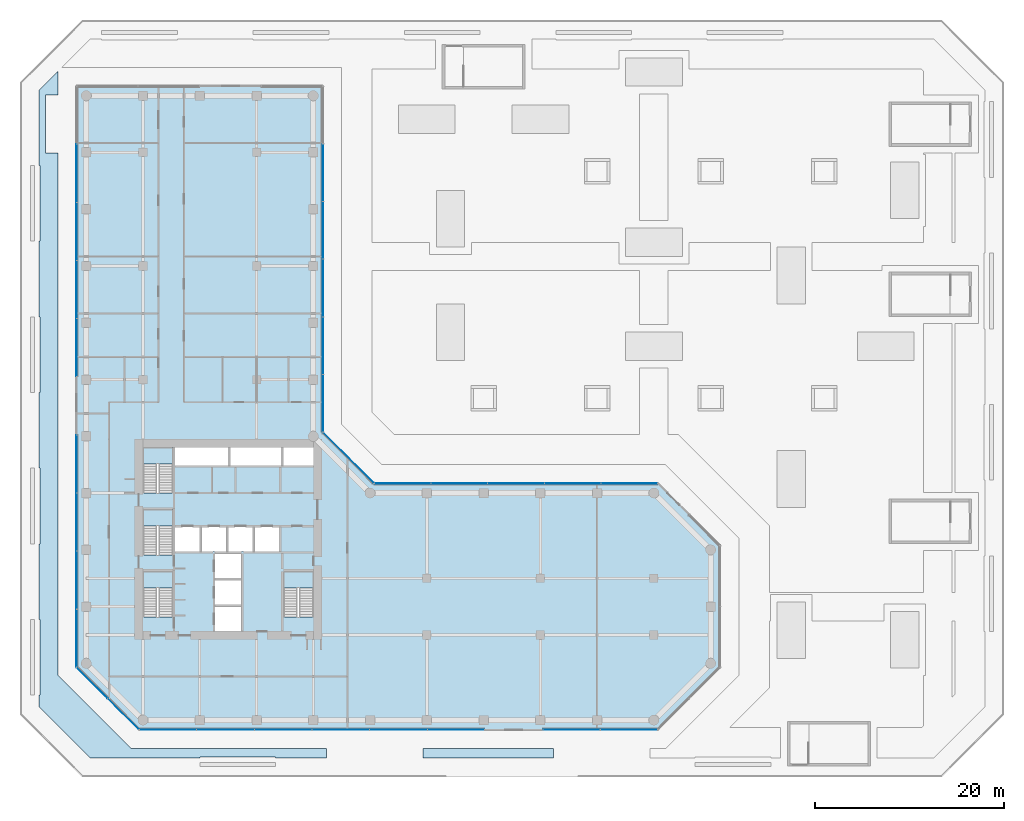
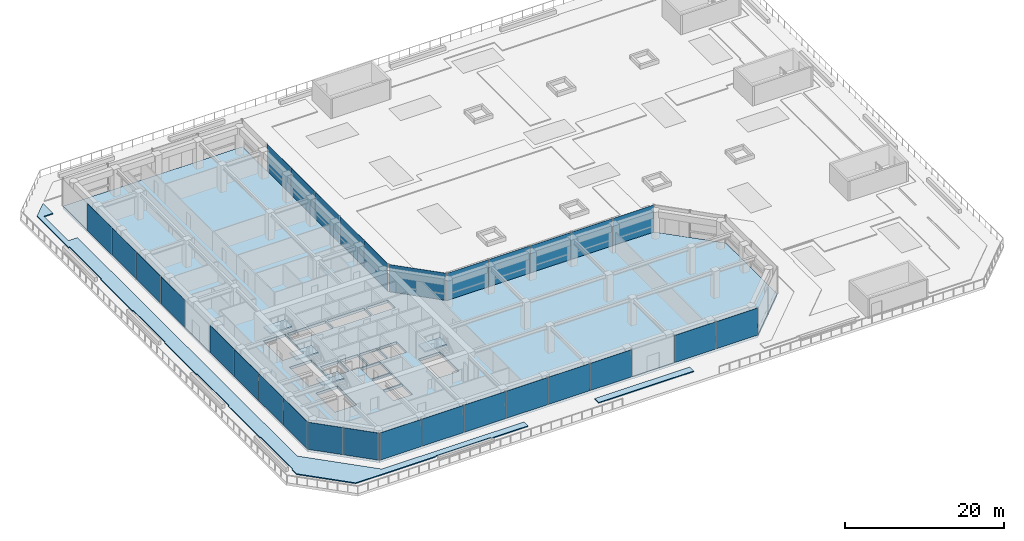
# One storey, part 22 of 31: 29 plates, 7 slabs, 12 elements without a shape of their own.
"""IFC4 building model written with IfcOpenShell, lengths in metres."""

from ifc_helpers import new_model, si_unit, direction, frame, origin, origin_2d, place, context, subcontext, project, spatial, polyline, rectangle, outline, extrude, material, layer, layer_set, type_object, element, aggregate, save


model = new_model("IFC4")

# Units and contexts
model_context = context("Model", 3, precision=1e-05, world=origin(), true_north=direction((0.0, 1.0)))
body_context = subcontext(model_context, "Body", "Model", "MODEL_VIEW")
ifc_project = project(units=[si_unit("LENGTHUNIT", "METRE"), si_unit("AREAUNIT", "SQUARE_METRE"), si_unit("VOLUMEUNIT", "CUBIC_METRE"), si_unit("PLANEANGLEUNIT", "RADIAN"), si_unit("MASSUNIT", "GRAM", prefix="KILO")], contexts=[model_context])

# Site, building, storey
site_placement = place(None, origin())
site = spatial("IfcSite", under=ifc_project, at=site_placement, CompositionType="ELEMENT")
building_placement = place(site_placement, origin())
building = spatial("IfcBuilding", under=site, at=building_placement, Name="Welwitschia Terrace Campus", CompositionType="ELEMENT")
storey_placement = place(building_placement, frame((0.0, 0.0, 11.0)))
storey = spatial("IfcBuildingStorey", under=building, at=storey_placement, Name="L02", CompositionType="ELEMENT", Elevation=11.0)

# Curtain wall, plates
ifc_material_1 = material(Name="Bronze anodised aluminium", Category="aluminium")
ifc_layer_1 = layer(ifc_material_1, 0.1201171875)
ifc_layer_set_1 = layer_set([ifc_layer_1], Name="Bronze anodised aluminium")
curtain_wall_type = type_object("IfcCurtainWallType", Name="Curtain wall CW2 tower 6000", PredefinedType="NOTDEFINED", material=ifc_layer_set_1)
curtain_wall_1_placement = place(storey_placement, origin())
curtain_wall_1 = element("IfcCurtainWall", 1, at=curtain_wall_1_placement, inside=storey, type_object=curtain_wall_type, Name="CW L02.0.0", PredefinedType="NOTDEFINED")
ifc_material_2 = material(Name="Tinted bronze-grey glass", Category="glass")
ifc_layer_2 = layer(ifc_material_2, 0.028076171875)
ifc_layer_set_2 = layer_set([ifc_layer_2], Name="Tinted bronze-grey glass")
plate_type = type_object("IfcPlateType", Name="Glass panel 28 tinted", PredefinedType="CURTAIN_PANEL", material=ifc_layer_set_2)
plate_1_placement = place(storey_placement, frame((0.639892578125, -0.08251953125, 0.0), z_axis=(0.0, 0.0, 1.0), x_axis=(0.707106781187, -0.707106781187, 0.0)))
plate_1 = element("IfcPlate", 2, at=plate_1_placement, type_object=plate_type, Name="Panel L02.0.0.0", PredefinedType="CURTAIN_PANEL", context=body_context, shape_type="SweptSolid", body=[
    extrude(rectangle(XDim=4.5751953125, YDim=0.028076171875, at=origin_2d()), origin(), (0.0, 0.0, 1.0), 4.14990234375),
])
plate_2_placement = place(storey_placement, frame((3.91748046875, -3.360107421875, 0.0), z_axis=(0.0, 0.0, 1.0), x_axis=(0.707106781187, -0.707106781187, 0.0)))
plate_2 = element("IfcPlate", 3, at=plate_2_placement, type_object=plate_type, Name="Panel L02.0.0.1", PredefinedType="CURTAIN_PANEL", context=body_context, shape_type="SweptSolid", body=[
    extrude(rectangle(XDim=4.5751953125, YDim=0.028076171875, at=origin_2d()), origin(), (0.0, 0.0, 1.0), 4.14990234375),
])
aggregate(curtain_wall_1, [plate_1, plate_2])

curtain_wall_2_placement = place(storey_placement, origin())
curtain_wall_2 = element("IfcCurtainWall", 4, at=curtain_wall_2_placement, inside=storey, type_object=curtain_wall_type, Name="CW L02.1.0", PredefinedType="NOTDEFINED")
plate_3_placement = place(storey_placement, frame((8.639404296875, -5.02001953125, 0.0), z_axis=(0.0, 0.0, 1.0), x_axis=(1.0, 0.0, 0.0)))
plate_3 = element("IfcPlate", 5, at=plate_3_placement, type_object=plate_type, Name="Panel L02.1.0.0", PredefinedType="CURTAIN_PANEL", context=body_context, shape_type="SweptSolid", body=[
    extrude(rectangle(XDim=6.00390625, YDim=0.028076171875, at=origin_2d()), origin(), (0.0, 0.0, 1.0), 4.14990234375),
])
plate_4_placement = place(storey_placement, frame((14.71826171875, -5.02001953125, 0.0), z_axis=(0.0, 0.0, 1.0), x_axis=(1.0, 0.0, 0.0)))
plate_4 = element("IfcPlate", 6, at=plate_4_placement, type_object=plate_type, Name="Panel L02.1.0.1", PredefinedType="CURTAIN_PANEL", context=body_context, shape_type="SweptSolid", body=[
    extrude(rectangle(XDim=6.033935546875, YDim=0.028076171875, at=origin_2d()), origin(), (0.0, 0.0, 1.0), 4.14990234375),
])
plate_5_placement = place(storey_placement, frame((20.812255859375, -5.02001953125, 0.0), z_axis=(0.0, 0.0, 1.0), x_axis=(1.0, 0.0, 0.0)))
plate_5 = element("IfcPlate", 7, at=plate_5_placement, type_object=plate_type, Name="Panel L02.1.0.2", PredefinedType="CURTAIN_PANEL", context=body_context, shape_type="SweptSolid", body=[
    extrude(rectangle(XDim=6.033935546875, YDim=0.028076171875, at=origin_2d()), origin(), (0.0, 0.0, 1.0), 4.14990234375),
])
plate_6_placement = place(storey_placement, frame((26.906005859375, -5.02001953125, 0.0), z_axis=(0.0, 0.0, 1.0), x_axis=(1.0, 0.0, 0.0)))
plate_6 = element("IfcPlate", 8, at=plate_6_placement, type_object=plate_type, Name="Panel L02.1.0.3", PredefinedType="CURTAIN_PANEL", context=body_context, shape_type="SweptSolid", body=[
    extrude(rectangle(XDim=6.033935546875, YDim=0.028076171875, at=origin_2d()), origin(), (0.0, 0.0, 1.0), 4.14990234375),
])
plate_7_placement = place(storey_placement, frame((33.0, -5.02001953125, 0.0), z_axis=(0.0, 0.0, 1.0), x_axis=(1.0, 0.0, 0.0)))
plate_7 = element("IfcPlate", 9, at=plate_7_placement, type_object=plate_type, Name="Panel L02.1.0.4", PredefinedType="CURTAIN_PANEL", context=body_context, shape_type="SweptSolid", body=[
    extrude(rectangle(XDim=6.033935546875, YDim=0.028076171875, at=origin_2d()), origin(), (0.0, 0.0, 1.0), 4.14990234375),
])
plate_8_placement = place(storey_placement, frame((39.078857421875, -5.02001953125, 0.0), z_axis=(0.0, 0.0, 1.0), x_axis=(1.0, 0.0, 0.0)))
plate_8 = element("IfcPlate", 10, at=plate_8_placement, type_object=plate_type, Name="Panel L02.1.0.5", PredefinedType="CURTAIN_PANEL", context=body_context, shape_type="SweptSolid", body=[
    extrude(rectangle(XDim=6.00390625, YDim=0.028076171875, at=origin_2d()), origin(), (0.0, 0.0, 1.0), 4.14990234375),
])
aggregate(curtain_wall_2, [plate_3, plate_4, plate_5, plate_6, plate_7, plate_8])

curtain_wall_3_placement = place(storey_placement, origin())
curtain_wall_3 = element("IfcCurtainWall", 11, at=curtain_wall_3_placement, inside=storey, type_object=curtain_wall_type, Name="CW L02.1.7", PredefinedType="NOTDEFINED")
plate_9_placement = place(storey_placement, frame((51.296630859375, -5.02001953125, 0.0), z_axis=(0.0, 0.0, 1.0), x_axis=(1.0, 0.0, 0.0)))
plate_9 = element("IfcPlate", 12, at=plate_9_placement, type_object=plate_type, Name="Panel L02.1.7.0", PredefinedType="CURTAIN_PANEL", context=body_context, shape_type="SweptSolid", body=[
    extrude(rectangle(XDim=6.00390625, YDim=0.028076171875, at=origin_2d()), origin(), (0.0, 0.0, 1.0), 4.14990234375),
])
plate_10_placement = place(storey_placement, frame((57.360595703125, -5.02001953125, 0.0), z_axis=(0.0, 0.0, 1.0), x_axis=(1.0, 0.0, 0.0)))
plate_10 = element("IfcPlate", 13, at=plate_10_placement, type_object=plate_type, Name="Panel L02.1.7.1", PredefinedType="CURTAIN_PANEL", context=body_context, shape_type="SweptSolid", body=[
    extrude(rectangle(XDim=6.00390625, YDim=0.028076171875, at=origin_2d()), origin(), (0.0, 0.0, 1.0), 4.14990234375),
])
aggregate(curtain_wall_3, [plate_9, plate_10])

curtain_wall_4_placement = place(storey_placement, origin())
curtain_wall_4 = element("IfcCurtainWall", 14, at=curtain_wall_4_placement, inside=storey, type_object=curtain_wall_type, Name="CW L02.5.0", PredefinedType="NOTDEFINED")
plate_11_placement = place(storey_placement, frame((57.407470703125, 21.02001953125, 0.0), z_axis=(0.0, 0.0, 1.0), x_axis=(-1.0, 0.0, 0.0)))
plate_11 = element("IfcPlate", 15, at=plate_11_placement, type_object=plate_type, Name="Panel L02.5.0.0", PredefinedType="CURTAIN_PANEL", context=body_context, shape_type="SweptSolid", body=[
    extrude(rectangle(XDim=5.909912109375, YDim=0.028076171875, at=origin_2d()), origin(), (0.0, 0.0, 1.0), 4.14990234375),
])
plate_12_placement = place(storey_placement, frame((51.422607421875, 21.02001953125, 0.0), z_axis=(0.0, 0.0, 1.0), x_axis=(-1.0, 0.0, 0.0)))
plate_12 = element("IfcPlate", 16, at=plate_12_placement, type_object=plate_type, Name="Panel L02.5.0.1", PredefinedType="CURTAIN_PANEL", context=body_context, shape_type="SweptSolid", body=[
    extrude(rectangle(XDim=5.93994140625, YDim=0.028076171875, at=origin_2d()), origin(), (0.0, 0.0, 1.0), 4.14990234375),
])
plate_13_placement = place(storey_placement, frame((45.422607421875, 21.02001953125, 0.0), z_axis=(0.0, 0.0, 1.0), x_axis=(-1.0, 0.0, 0.0)))
plate_13 = element("IfcPlate", 17, at=plate_13_placement, type_object=plate_type, Name="Panel L02.5.0.2", PredefinedType="CURTAIN_PANEL", context=body_context, shape_type="SweptSolid", body=[
    extrude(rectangle(XDim=5.93994140625, YDim=0.028076171875, at=origin_2d()), origin(), (0.0, 0.0, 1.0), 4.14990234375),
])
plate_14_placement = place(storey_placement, frame((39.422607421875, 21.02001953125, 0.0), z_axis=(0.0, 0.0, 1.0), x_axis=(-1.0, 0.0, 0.0)))
plate_14 = element("IfcPlate", 18, at=plate_14_placement, type_object=plate_type, Name="Panel L02.5.0.3", PredefinedType="CURTAIN_PANEL", context=body_context, shape_type="SweptSolid", body=[
    extrude(rectangle(XDim=5.93994140625, YDim=0.028076171875, at=origin_2d()), origin(), (0.0, 0.0, 1.0), 4.14990234375),
])
plate_15_placement = place(storey_placement, frame((33.4375, 21.02001953125, 0.0), z_axis=(0.0, 0.0, 1.0), x_axis=(-1.0, 0.0, 0.0)))
plate_15 = element("IfcPlate", 19, at=plate_15_placement, type_object=plate_type, Name="Panel L02.5.0.4", PredefinedType="CURTAIN_PANEL", context=body_context, shape_type="SweptSolid", body=[
    extrude(rectangle(XDim=5.909912109375, YDim=0.028076171875, at=origin_2d()), origin(), (0.0, 0.0, 1.0), 4.14990234375),
])
aggregate(curtain_wall_4, [plate_11, plate_12, plate_13, plate_14, plate_15])

# Curtain wall, plate
curtain_wall_5_placement = place(storey_placement, origin())
curtain_wall_5 = element("IfcCurtainWall", 20, at=curtain_wall_5_placement, inside=storey, type_object=curtain_wall_type, Name="CW L02.6.0", PredefinedType="NOTDEFINED")
plate_16_placement = place(storey_placement, frame((27.72119140625, 23.72119140625, 0.0), z_axis=(0.0, 0.0, 1.0), x_axis=(-0.707106781187, 0.707106781187, 0.0)))
plate_16 = element("IfcPlate", 21, at=plate_16_placement, type_object=plate_type, Name="Panel L02.6.0.0", PredefinedType="CURTAIN_PANEL", context=body_context, shape_type="SweptSolid", body=[
    extrude(rectangle(XDim=7.520263671875, YDim=0.028076171875, at=origin_2d()), origin(), (0.0, 0.0, 1.0), 4.14990234375),
])
aggregate(curtain_wall_5, [plate_16])

# Curtain wall, plates
curtain_wall_6_placement = place(storey_placement, origin())
curtain_wall_6 = element("IfcCurtainWall", 22, at=curtain_wall_6_placement, inside=storey, type_object=curtain_wall_type, Name="CW L02.7.0", PredefinedType="NOTDEFINED")
plate_17_placement = place(storey_placement, frame((25.02001953125, 29.4873046875, 0.0), z_axis=(0.0, 0.0, 1.0), x_axis=(0.0, 1.0, 0.0)))
plate_17 = element("IfcPlate", 23, at=plate_17_placement, type_object=plate_type, Name="Panel L02.7.0.0", PredefinedType="CURTAIN_PANEL", context=body_context, shape_type="SweptSolid", body=[
    extrude(rectangle(XDim=6.009521484375, YDim=0.028076171875, at=origin_2d()), origin(), (0.0, 0.0, 1.0), 4.14990234375),
])
plate_18_placement = place(storey_placement, frame((25.02001953125, 35.57177734375, 0.0), z_axis=(0.0, 0.0, 1.0), x_axis=(0.0, 1.0, 0.0)))
plate_18 = element("IfcPlate", 24, at=plate_18_placement, type_object=plate_type, Name="Panel L02.7.0.1", PredefinedType="CURTAIN_PANEL", context=body_context, shape_type="SweptSolid", body=[
    extrude(rectangle(XDim=6.03955078125, YDim=0.028076171875, at=origin_2d()), origin(), (0.0, 0.0, 1.0), 4.14990234375),
])
plate_19_placement = place(storey_placement, frame((25.02001953125, 41.67138671875, 0.0), z_axis=(0.0, 0.0, 1.0), x_axis=(0.0, 1.0, 0.0)))
plate_19 = element("IfcPlate", 25, at=plate_19_placement, type_object=plate_type, Name="Panel L02.7.0.2", PredefinedType="CURTAIN_PANEL", context=body_context, shape_type="SweptSolid", body=[
    extrude(rectangle(XDim=6.03955078125, YDim=0.028076171875, at=origin_2d()), origin(), (0.0, 0.0, 1.0), 4.14990234375),
])
plate_20_placement = place(storey_placement, frame((25.02001953125, 47.77099609375, 0.0), z_axis=(0.0, 0.0, 1.0), x_axis=(0.0, 1.0, 0.0)))
plate_20 = element("IfcPlate", 26, at=plate_20_placement, type_object=plate_type, Name="Panel L02.7.0.3", PredefinedType="CURTAIN_PANEL", context=body_context, shape_type="SweptSolid", body=[
    extrude(rectangle(XDim=6.03955078125, YDim=0.028076171875, at=origin_2d()), origin(), (0.0, 0.0, 1.0), 4.14990234375),
])
plate_21_placement = place(storey_placement, frame((25.02001953125, 53.87060546875, 0.0), z_axis=(0.0, 0.0, 1.0), x_axis=(0.0, 1.0, 0.0)))
plate_21 = element("IfcPlate", 27, at=plate_21_placement, type_object=plate_type, Name="Panel L02.7.0.4", PredefinedType="CURTAIN_PANEL", context=body_context, shape_type="SweptSolid", body=[
    extrude(rectangle(XDim=6.03955078125, YDim=0.028076171875, at=origin_2d()), origin(), (0.0, 0.0, 1.0), 4.14990234375),
])
aggregate(curtain_wall_6, [plate_17, plate_18, plate_19, plate_20, plate_21])

curtain_wall_7_placement = place(storey_placement, origin())
curtain_wall_7 = element("IfcCurtainWall", 28, at=curtain_wall_7_placement, inside=storey, type_object=curtain_wall_type, Name="CW L02.9.0", PredefinedType="NOTDEFINED")
plate_22_placement = place(storey_placement, frame((-1.02001953125, 53.8037109375, 0.0), z_axis=(0.0, 0.0, 1.0), x_axis=(0.0, -1.0, 0.0)))
plate_22 = element("IfcPlate", 29, at=plate_22_placement, type_object=plate_type, Name="Panel L02.9.0.1", PredefinedType="CURTAIN_PANEL", context=body_context, shape_type="SweptSolid", body=[
    extrude(rectangle(XDim=6.084228515625, YDim=0.028076171875, at=origin_2d()), origin(), (0.0, 0.0, 1.0), 4.14990234375),
])
plate_23_placement = place(storey_placement, frame((-1.02001953125, 47.659423828125, 0.0), z_axis=(0.0, 0.0, 1.0), x_axis=(0.0, -1.0, 0.0)))
plate_23 = element("IfcPlate", 30, at=plate_23_placement, type_object=plate_type, Name="Panel L02.9.0.2", PredefinedType="CURTAIN_PANEL", context=body_context, shape_type="SweptSolid", body=[
    extrude(rectangle(XDim=6.084228515625, YDim=0.028076171875, at=origin_2d()), origin(), (0.0, 0.0, 1.0), 4.14990234375),
])
plate_24_placement = place(storey_placement, frame((-1.02001953125, 41.51513671875, 0.0), z_axis=(0.0, 0.0, 1.0), x_axis=(0.0, -1.0, 0.0)))
plate_24 = element("IfcPlate", 31, at=plate_24_placement, type_object=plate_type, Name="Panel L02.9.0.3", PredefinedType="CURTAIN_PANEL", context=body_context, shape_type="SweptSolid", body=[
    extrude(rectangle(XDim=6.084228515625, YDim=0.028076171875, at=origin_2d()), origin(), (0.0, 0.0, 1.0), 4.14990234375),
])
plate_25_placement = place(storey_placement, frame((-1.02001953125, 35.385986328125, 0.0), z_axis=(0.0, 0.0, 1.0), x_axis=(0.0, -1.0, 0.0)))
plate_25 = element("IfcPlate", 32, at=plate_25_placement, type_object=plate_type, Name="Panel L02.9.0.4", PredefinedType="CURTAIN_PANEL", context=body_context, shape_type="SweptSolid", body=[
    extrude(rectangle(XDim=6.05419921875, YDim=0.028076171875, at=origin_2d()), origin(), (0.0, 0.0, 1.0), 4.14990234375),
])
aggregate(curtain_wall_7, [plate_22, plate_23, plate_24, plate_25])

curtain_wall_8_placement = place(storey_placement, origin())
curtain_wall_8 = element("IfcCurtainWall", 33, at=curtain_wall_8_placement, inside=storey, type_object=curtain_wall_type, Name="CW L02.9.6", PredefinedType="NOTDEFINED")
plate_26_placement = place(storey_placement, frame((-1.02001953125, 23.0673828125, 0.0), z_axis=(0.0, 0.0, 1.0), x_axis=(0.0, -1.0, 0.0)))
plate_26 = element("IfcPlate", 34, at=plate_26_placement, type_object=plate_type, Name="Panel L02.9.6.0", PredefinedType="CURTAIN_PANEL", context=body_context, shape_type="SweptSolid", body=[
    extrude(rectangle(XDim=6.05419921875, YDim=0.028076171875, at=origin_2d()), origin(), (0.0, 0.0, 1.0), 4.14990234375),
])
plate_27_placement = place(storey_placement, frame((-1.02001953125, 16.938232421875, 0.0), z_axis=(0.0, 0.0, 1.0), x_axis=(0.0, -1.0, 0.0)))
plate_27 = element("IfcPlate", 35, at=plate_27_placement, type_object=plate_type, Name="Panel L02.9.6.1", PredefinedType="CURTAIN_PANEL", context=body_context, shape_type="SweptSolid", body=[
    extrude(rectangle(XDim=6.084228515625, YDim=0.028076171875, at=origin_2d()), origin(), (0.0, 0.0, 1.0), 4.14990234375),
])
plate_28_placement = place(storey_placement, frame((-1.02001953125, 10.7939453125, 0.0), z_axis=(0.0, 0.0, 1.0), x_axis=(0.0, -1.0, 0.0)))
plate_28 = element("IfcPlate", 36, at=plate_28_placement, type_object=plate_type, Name="Panel L02.9.6.2", PredefinedType="CURTAIN_PANEL", context=body_context, shape_type="SweptSolid", body=[
    extrude(rectangle(XDim=6.084228515625, YDim=0.028076171875, at=origin_2d()), origin(), (0.0, 0.0, 1.0), 4.14990234375),
])
plate_29_placement = place(storey_placement, frame((-1.02001953125, 4.66455078125, 0.0), z_axis=(0.0, 0.0, 1.0), x_axis=(0.0, -1.0, 0.0)))
plate_29 = element("IfcPlate", 37, at=plate_29_placement, type_object=plate_type, Name="Panel L02.9.6.3", PredefinedType="CURTAIN_PANEL", context=body_context, shape_type="SweptSolid", body=[
    extrude(rectangle(XDim=6.05419921875, YDim=0.028076171875, at=origin_2d()), origin(), (0.0, 0.0, 1.0), 4.14990234375),
])
aggregate(curtain_wall_8, [plate_26, plate_27, plate_28, plate_29])

# Slabs
ifc_material_3 = material(Name="Concrete C30/37 paving", Category="concrete")
ifc_layer_3 = layer(ifc_material_3, 0.14990234375)
ifc_layer_set_3 = layer_set([ifc_layer_3], Name="Concrete C30/37 paving")
slab_type_1 = type_object("IfcSlabType", Name="Paving slab 150", PredefinedType="USERDEFINED", material=ifc_layer_set_3)
slab_1_placement = place(storey_placement, origin())
element("IfcSlab", 38, at=slab_1_placement, inside=storey, type_object=slab_type_1, Name="Deck paving", ObjectType="PAVING", PredefinedType="USERDEFINED", context=body_context, shape_type="SweptSolid", body=[
    extrude(outline(polyline([(-3.0, 62.074951171875), (-4.300048828125, 62.074951171875), (-4.300048828125, 55.925048828125), (-3.0, 55.925048828125), (-3.0, 0.75732421875), (4.75732421875, -7.0), (25.39990234375, -7.0), (25.39990234375, -8.0), (20.0, -8.0), (20.0, -7.8798828125), (12.0, -7.8798828125), (12.0, -8.0), (0.414306640625, -8.0), (-5.0, -2.585693359375), (-5.0, -1.364501953125), (-4.8798828125, -1.364501953125), (-4.8798828125, 6.635498046875), (-5.0, 6.635498046875), (-5.0, 14.635498046875), (-4.8798828125, 14.635498046875), (-4.8798828125, 22.635498046875), (-5.0, 22.635498046875), (-5.0, 30.635498046875), (-4.8798828125, 30.635498046875), (-4.8798828125, 38.635498046875), (-5.0, 38.635498046875), (-5.0, 46.635498046875), (-4.8798828125, 46.635498046875), (-4.8798828125, 54.635498046875), (-5.0, 54.635498046875), (-5.0, 62.585693359375), (-3.0, 64.585693359375), (-3.0, 62.074951171875)])), origin(), (0.0, 0.0, 1.0), 0.14990234375),
])
slab_2_placement = place(storey_placement, origin())
element("IfcSlab", 39, at=slab_2_placement, inside=storey, type_object=slab_type_1, Name="Deck paving", ObjectType="PAVING", PredefinedType="USERDEFINED", context=body_context, shape_type="SweptSolid", body=[
    extrude(outline(polyline([(49.39990234375, -7.0), (49.39990234375, -8.0), (35.60009765625, -8.0), (35.60009765625, -7.0), (49.39990234375, -7.0)])), origin(), (0.0, 0.0, 1.0), 0.14990234375),
])

# Stair, slab
ifc_material_4 = material(Name="Concrete C40/50", Category="concrete")
stair_type = type_object("IfcStairType", Name="Stair 24R 188 W1500", PredefinedType="HALF_TURN_STAIR", material=ifc_material_4)
stair_1_placement = place(storey_placement, origin())
stair_1 = element("IfcStair", 40, at=stair_1_placement, inside=storey, type_object=stair_type, Name="L02 Exit stair S1", PredefinedType="HALF_TURN_STAIR")
ifc_material_5 = material(Name="Concrete C40/50", Category="concrete")
ifc_layer_4 = layer(ifc_material_5, 0.199951171875)
ifc_layer_set_4 = layer_set([ifc_layer_4], Name="Concrete C40/50")
slab_type_2 = type_object("IfcSlabType", Name="Stair landing RC", PredefinedType="LANDING", material=ifc_layer_set_4)
slab_3_placement = place(storey_placement, frame((0.0, 0.0, 2.050048828125)))
slab_3 = element("IfcSlab", 41, at=slab_3_placement, type_object=slab_type_2, Name="S1 landing 1", PredefinedType="LANDING", context=body_context, shape_type="SweptSolid", body=[
    extrude(outline(polyline([(9.14990234375, 9.97998046875), (9.14990234375, 11.699951171875), (6.0, 11.699951171875), (6.0, 9.97998046875), (9.14990234375, 9.97998046875)])), origin(), (0.0, 0.0, 1.0), 0.199951171875),
])
aggregate(stair_1, [slab_3])

stair_2_placement = place(storey_placement, origin())
stair_2 = element("IfcStair", 42, at=stair_2_placement, inside=storey, type_object=stair_type, Name="L02 Exit stair S3", PredefinedType="HALF_TURN_STAIR")
slab_4_placement = place(storey_placement, frame((0.0, 0.0, 2.050048828125)))
slab_4 = element("IfcSlab", 43, at=slab_4_placement, type_object=slab_type_2, Name="S3 landing 1", PredefinedType="LANDING", context=body_context, shape_type="SweptSolid", body=[
    extrude(outline(polyline([(9.14990234375, 16.530029296875), (9.14990234375, 18.25), (6.0, 18.25), (6.0, 16.530029296875), (9.14990234375, 16.530029296875)])), origin(), (0.0, 0.0, 1.0), 0.199951171875),
])
aggregate(stair_2, [slab_4])

stair_3_placement = place(storey_placement, origin())
stair_3 = element("IfcStair", 44, at=stair_3_placement, inside=storey, type_object=stair_type, Name="L02 Exit stair S4", PredefinedType="HALF_TURN_STAIR")
slab_5_placement = place(storey_placement, frame((0.0, 0.0, 2.050048828125)))
slab_5 = element("IfcSlab", 45, at=slab_5_placement, type_object=slab_type_2, Name="S4 landing 1", PredefinedType="LANDING", context=body_context, shape_type="SweptSolid", body=[
    extrude(outline(polyline([(9.14990234375, 23.080078125), (9.14990234375, 24.800048828125), (6.0, 24.800048828125), (6.0, 23.080078125), (9.14990234375, 23.080078125)])), origin(), (0.0, 0.0, 1.0), 0.199951171875),
])
aggregate(stair_3, [slab_5])

stair_4_placement = place(storey_placement, origin())
stair_4 = element("IfcStair", 46, at=stair_4_placement, inside=storey, type_object=stair_type, Name="L02 Exit stair S2", PredefinedType="HALF_TURN_STAIR")
slab_6_placement = place(storey_placement, frame((0.0, 0.0, 2.050048828125)))
slab_6 = element("IfcSlab", 47, at=slab_6_placement, type_object=slab_type_2, Name="S2 landing 1", PredefinedType="LANDING", context=body_context, shape_type="SweptSolid", body=[
    extrude(outline(polyline([(24.0, 9.97998046875), (24.0, 11.699951171875), (20.85009765625, 11.699951171875), (20.85009765625, 9.97998046875), (24.0, 9.97998046875)])), origin(), (0.0, 0.0, 1.0), 0.199951171875),
])
aggregate(stair_4, [slab_6])

# Slab
ifc_material_6 = material(Name="Concrete C40/50", Category="concrete")
ifc_layer_5 = layer(ifc_material_6, 0.39990234375)
ifc_layer_set_5 = layer_set([ifc_layer_5], Name="Concrete C40/50")
slab_type_3 = type_object("IfcSlabType", Name="Suspended floor slab 400", PredefinedType="FLOOR", material=ifc_layer_set_5)
slab_7_placement = place(storey_placement, frame((0.0, 0.0, -0.39990234375)))
element("IfcSlab", 48, at=slab_7_placement, inside=storey, type_object=slab_type_3, Name="Floor slab L02", PredefinedType="FLOOR", context=body_context, shape_type="SweptSolid", body=[
    extrude(outline(polyline([(-1.0, 63.0), (25.0, 63.0), (25.0, 26.414306640625), (30.414306640625, 21.0), (60.414306640625, 21.0), (67.0, 14.414306640625), (67.0, 1.585693359375), (60.414306640625, -5.0), (5.585693359375, -5.0), (-1.0, 1.585693359375), (-1.0, 63.0)]), holes=[polyline([(13.60009765625, 8.0), (13.60009765625, 5.39990234375), (16.39990234375, 5.39990234375), (16.39990234375, 8.0), (13.60009765625, 8.0)]), polyline([(9.14990234375, 11.699951171875), (6.0, 11.699951171875), (6.0, 6.902099609375), (9.14990234375, 6.902099609375), (9.14990234375, 11.699951171875)]), polyline([(12.0, 16.39990234375), (9.39990234375, 16.39990234375), (9.39990234375, 13.800048828125), (12.0, 13.800048828125), (12.0, 16.39990234375)]), polyline([(14.800048828125, 16.39990234375), (12.199951171875, 16.39990234375), (12.199951171875, 13.800048828125), (14.800048828125, 13.800048828125), (14.800048828125, 16.39990234375)]), polyline([(9.14990234375, 18.25), (6.0, 18.25), (6.0, 13.451904296875), (9.14990234375, 13.451904296875), (9.14990234375, 18.25)]), polyline([(9.14990234375, 24.800048828125), (6.0, 24.800048828125), (6.0, 20.001953125), (9.14990234375, 20.001953125), (9.14990234375, 24.800048828125)]), polyline([(15.0, 24.800048828125), (9.39990234375, 24.800048828125), (9.39990234375, 22.89990234375), (15.0, 22.89990234375), (15.0, 24.800048828125)]), polyline([(20.85009765625, 11.699951171875), (20.85009765625, 6.902099609375), (24.0, 6.902099609375), (24.0, 11.699951171875), (20.85009765625, 11.699951171875)]), polyline([(16.39990234375, 10.800048828125), (13.60009765625, 10.800048828125), (13.60009765625, 8.199951171875), (16.39990234375, 8.199951171875), (16.39990234375, 10.800048828125)]), polyline([(16.39990234375, 13.60009765625), (13.60009765625, 13.60009765625), (13.60009765625, 11.0), (16.39990234375, 11.0), (16.39990234375, 13.60009765625)]), polyline([(17.60009765625, 16.39990234375), (15.0, 16.39990234375), (15.0, 13.800048828125), (17.60009765625, 13.800048828125), (17.60009765625, 16.39990234375)]), polyline([(20.39990234375, 16.39990234375), (17.800048828125, 16.39990234375), (17.800048828125, 13.800048828125), (20.39990234375, 13.800048828125), (20.39990234375, 16.39990234375)]), polyline([(20.60009765625, 24.800048828125), (15.199951171875, 24.800048828125), (15.199951171875, 22.89990234375), (20.60009765625, 22.89990234375), (20.60009765625, 24.800048828125)]), polyline([(24.0, 24.800048828125), (20.800048828125, 24.800048828125), (20.800048828125, 22.89990234375), (24.0, 22.89990234375), (24.0, 24.800048828125)])]), origin(), (0.0, 0.0, 1.0), 0.39990234375),
])

save(model, "model.ifc")
